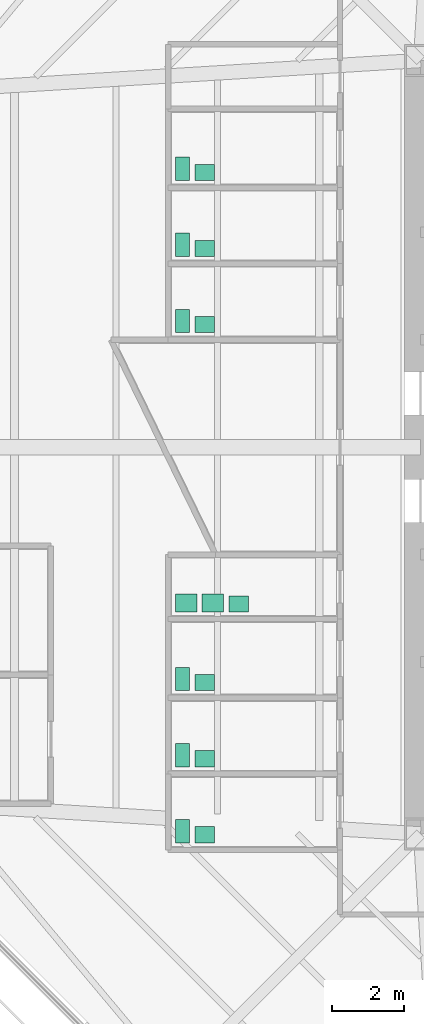
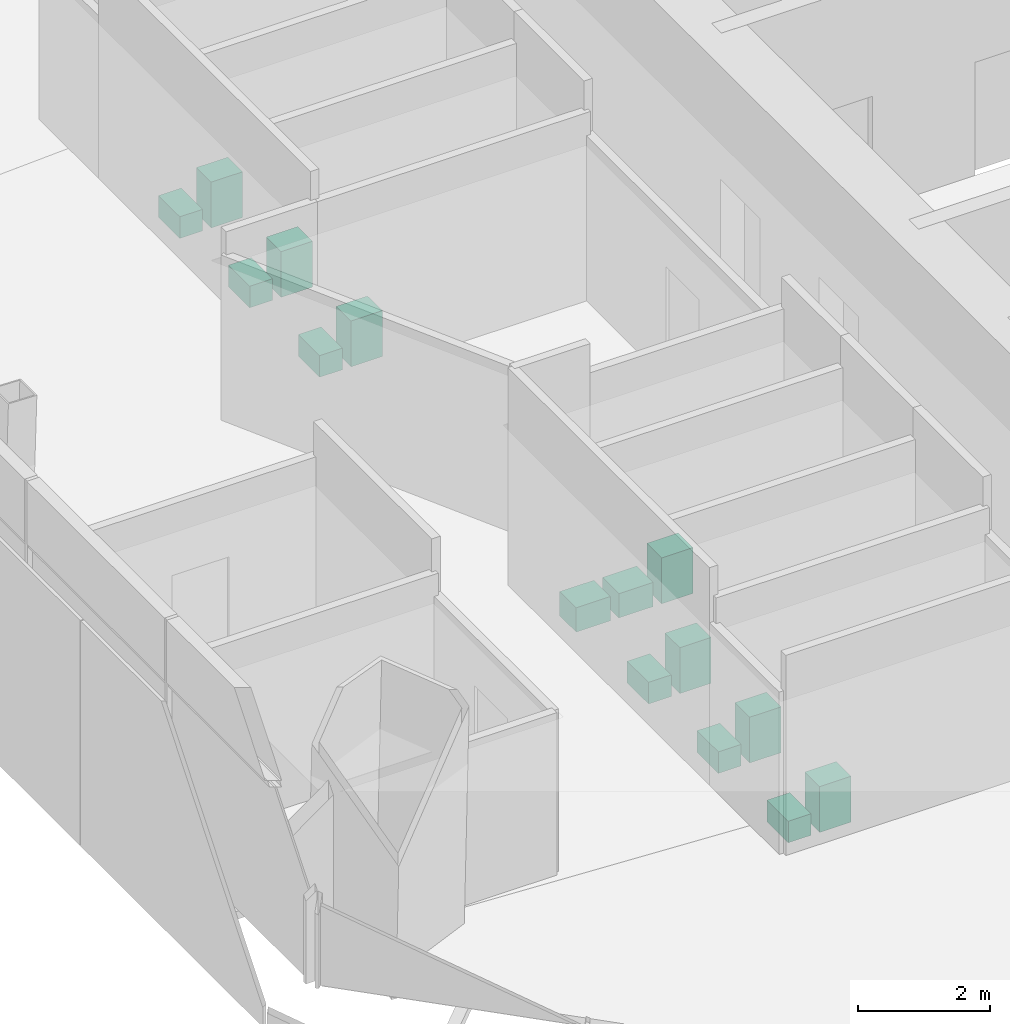
# One storey, part 16 of 16: 15 sanitary terminals.
"""IFC4 building model written with IfcOpenShell, lengths in metres."""

from ifc_helpers import new_model, si_unit, direction, frame, origin, origin_2d, place, context, subcontext, project, spatial, rectangle, extrude, material, type_object, element, save


model = new_model("IFC4")

# Units and contexts
model_context = context("Model", 3, precision=1e-05, world=origin(), true_north=direction((0.0, 1.0)))
body_context = subcontext(model_context, "Body", "Model", "MODEL_VIEW")
ifc_project = project(units=[si_unit("LENGTHUNIT", "METRE"), si_unit("AREAUNIT", "SQUARE_METRE"), si_unit("VOLUMEUNIT", "CUBIC_METRE"), si_unit("PLANEANGLEUNIT", "RADIAN"), si_unit("MASSUNIT", "GRAM", prefix="KILO")], contexts=[model_context])

# Site, building, storey
site_placement = place(None, origin())
site = spatial("IfcSite", under=ifc_project, at=site_placement, CompositionType="ELEMENT")
building_placement = place(site_placement, origin())
building = spatial("IfcBuilding", under=site, at=building_placement, Name="Mashrafa Tower", CompositionType="ELEMENT")
storey_placement = place(building_placement, frame((0.0, 0.0, 79.199951171875)))
storey = spatial("IfcBuildingStorey", under=building, at=storey_placement, Name="L17", CompositionType="ELEMENT", Elevation=79.199951171875)

# Sanitary terminals
ifc_material_1 = material(Name="Stainless steel", Category="steel")
sanitary_terminal_type_1 = type_object("IfcSanitaryTerminalType", Name="Ablution wash station 600 x 500", PredefinedType="WASHHANDBASIN", material=ifc_material_1)
for number, where, z_axis, x_axis, name in (
    (1, (-17.35009765625, -4.35009765625, 0.0), (0.0, 0.0, 1.0), (1.0, 0.0, 0.0), "Ablution wash station Ablution Room L17 S"),
    (2, (-16.60009765625, -4.35009765625, 0.0), (0.0, 0.0, 1.0), (1.0, 0.0, 0.0), "Ablution wash station Ablution Room L17 S"),
):
    element("IfcSanitaryTerminal", number, at=place(storey_placement, frame(where, z_axis=z_axis, x_axis=x_axis)), inside=storey, type_object=sanitary_terminal_type_1, Name=name, PredefinedType="WASHHANDBASIN", context=body_context, shape_type="SweptSolid", body=[
        extrude(rectangle(XDim=0.60009765625, YDim=0.5, at=origin_2d()), origin(), (0.0, 0.0, 1.0), 0.449951171875),
    ])
ifc_material_2 = material(Name="Vitreous china")
sanitary_terminal_type_2 = type_object("IfcSanitaryTerminalType", Name="Toilet pan 400 x 650", PredefinedType="TOILETPAN", material=ifc_material_2)
for number, where, z_axis, x_axis, name in (
    (3, (-17.449951171875, 3.52490234375, 0.0), (0.0, 0.0, 1.0), (1.0, 0.0, 0.0), "Toilet pan WC Female L17 N"),
    (4, (-17.449951171875, 5.64990234375, 0.0), (0.0, 0.0, 1.0), (1.0, 0.0, 0.0), "Toilet pan WC Male L17 N"),
    (5, (-17.449951171875, 7.77490234375, 0.0), (0.0, 0.0, 1.0), (1.0, 0.0, 0.0), "Toilet pan Accessible WC L17 N"),
    (6, (-17.449951171875, -10.72509765625, 0.0), (0.0, 0.0, 1.0), (1.0, 0.0, 0.0), "Toilet pan WC Female L17 S"),
    (7, (-17.449951171875, -8.60009765625, 0.0), (0.0, 0.0, 1.0), (1.0, 0.0, 0.0), "Toilet pan WC Male L17 S"),
    (8, (-17.449951171875, -6.47509765625, 0.0), (0.0, 0.0, 1.0), (1.0, 0.0, 0.0), "Toilet pan Accessible WC L17 S"),
):
    element("IfcSanitaryTerminal", number, at=place(storey_placement, frame(where, z_axis=z_axis, x_axis=x_axis)), inside=storey, type_object=sanitary_terminal_type_2, Name=name, PredefinedType="TOILETPAN", context=body_context, shape_type="SweptSolid", body=[
        extrude(rectangle(XDim=0.39990234375, YDim=0.64990234375, at=origin_2d()), origin(), (0.0, 0.0, 1.0), 0.39990234375),
    ])
ifc_material_3 = material(Name="Vitreous china")
sanitary_terminal_type_3 = type_object("IfcSanitaryTerminalType", Name="Wash basin 550 x 450", PredefinedType="WASHHANDBASIN", material=ifc_material_3)
for number, where, z_axis, x_axis, name in (
    (9, (-16.824951171875, 3.425048828125, 0.0), (0.0, 0.0, 1.0), (1.0, 0.0, 0.0), "Wash basin WC Female L17 N"),
    (10, (-16.824951171875, 5.550048828125, 0.0), (0.0, 0.0, 1.0), (1.0, 0.0, 0.0), "Wash basin WC Male L17 N"),
    (11, (-16.824951171875, 7.675048828125, 0.0), (0.0, 0.0, 1.0), (1.0, 0.0, 0.0), "Wash basin Accessible WC L17 N"),
    (12, (-16.824951171875, -10.824951171875, 0.0), (0.0, 0.0, 1.0), (1.0, 0.0, 0.0), "Wash basin WC Female L17 S"),
    (13, (-16.824951171875, -8.699951171875, 0.0), (0.0, 0.0, 1.0), (1.0, 0.0, 0.0), "Wash basin WC Male L17 S"),
    (14, (-16.824951171875, -6.574951171875, 0.0), (0.0, 0.0, 1.0), (1.0, 0.0, 0.0), "Wash basin Accessible WC L17 S"),
    (15, (-15.875, -4.375, 0.0), (0.0, 0.0, 1.0), (1.0, 0.0, 0.0), "Wash basin Ablution Room L17 S"),
):
    element("IfcSanitaryTerminal", number, at=place(storey_placement, frame(where, z_axis=z_axis, x_axis=x_axis)), inside=storey, type_object=sanitary_terminal_type_3, Name=name, PredefinedType="WASHHANDBASIN", context=body_context, shape_type="SweptSolid", body=[
        extrude(rectangle(XDim=0.550048828125, YDim=0.449951171875, at=origin_2d()), origin(), (0.0, 0.0, 1.0), 0.85009765625),
    ])

save(model, "model.ifc")
